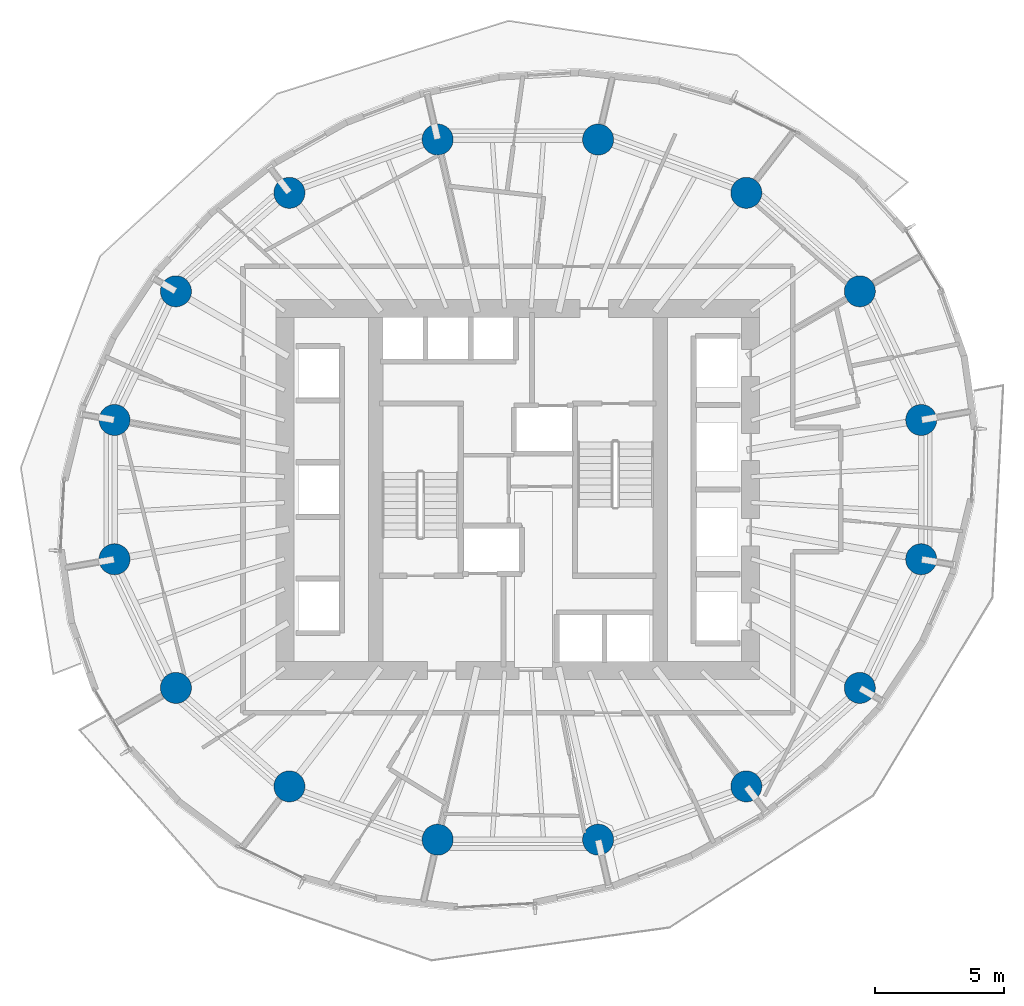
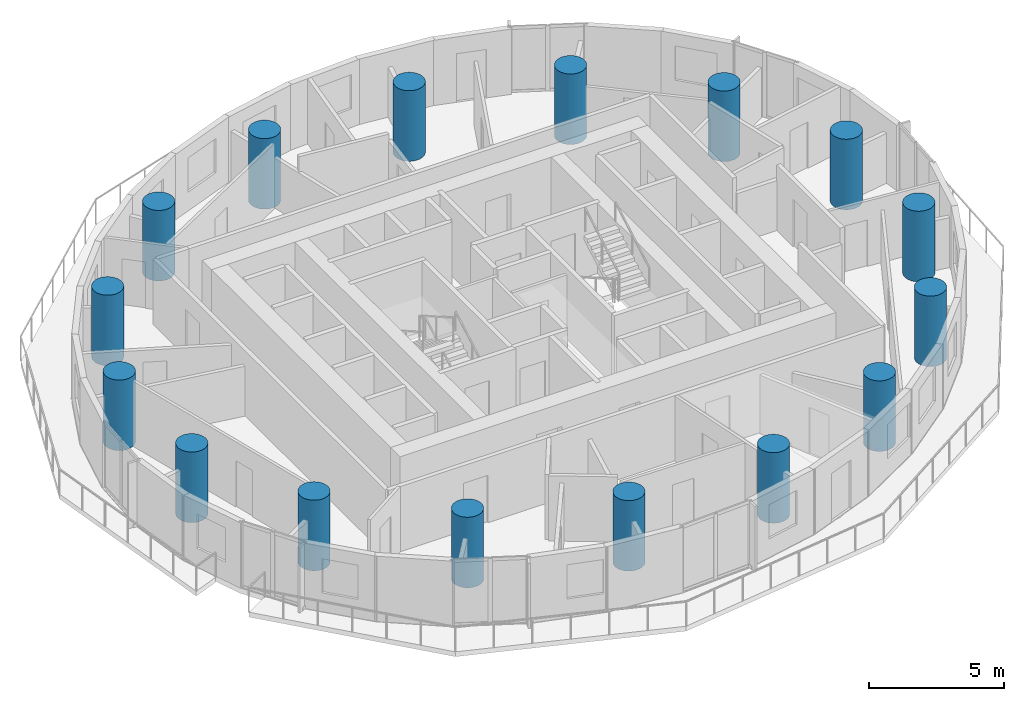
# One storey, part 1 of 15: 16 columns.
"""IFC4 building model written with IfcOpenShell, lengths in metres."""

from ifc_helpers import new_model, si_unit, direction, frame, origin, origin_2d, place, context, subcontext, project, spatial, circle, extrude, material, material_profile, profile_set, type_object, element, save


model = new_model("IFC4")

# Units and contexts
model_context = context("Model", 3, precision=1e-05, world=origin(), true_north=direction((0.0, 1.0)))
body_context = subcontext(model_context, "Body", "Model", "MODEL_VIEW")
ifc_project = project(units=[si_unit("LENGTHUNIT", "METRE"), si_unit("AREAUNIT", "SQUARE_METRE"), si_unit("VOLUMEUNIT", "CUBIC_METRE"), si_unit("PLANEANGLEUNIT", "RADIAN"), si_unit("MASSUNIT", "GRAM", prefix="KILO")], contexts=[model_context])

# Site, building, storey
site_placement = place(None, origin())
site = spatial("IfcSite", under=ifc_project, at=site_placement, CompositionType="ELEMENT")
building_placement = place(site_placement, origin())
building = spatial("IfcBuilding", under=site, at=building_placement, Name="Veldorim Arch Residences", CompositionType="ELEMENT")
storey_placement = place(building_placement, frame((0.0, 0.0, 102.8798828125)))
storey = spatial("IfcBuildingStorey", under=building, at=storey_placement, Name="L30", CompositionType="ELEMENT", Elevation=102.8798828125)

# Columns
ifc_material = material(Name="Concrete C60/75", Category="concrete")
ifc_material_profile = material_profile(ifc_material, circle(Radius=0.60009765625, at=origin_2d()), Name="RC_CIRC_1200")
ifc_profile_set = profile_set([ifc_material_profile], Name="Concrete C60/75")
column_type = type_object("IfcColumnType", Name="Structural Column RC_CIRC_1200", PredefinedType="COLUMN", material=ifc_profile_set)
for number, where, z_axis, x_axis, name in (
    (1, (47.594482421875, 26.692138671875, 0.0), (0.0, 0.0, 1.0), (1.0, 0.0, 0.0), "L30 TC-Z2-01 perimeter column"),
    (2, (45.220458984375, 31.6669921875, 0.0), (0.0, 0.0, 1.0), (1.0, 0.0, 0.0), "L30 TC-Z2-02 perimeter column"),
    (3, (40.83349609375, 35.474365234375, 0.0), (0.0, 0.0, 1.0), (1.0, 0.0, 0.0), "L30 TC-Z2-03 perimeter column"),
    (4, (35.101806640625, 37.534912109375, 0.0), (0.0, 0.0, 1.0), (1.0, 0.0, 0.0), "L30 TC-Z2-04 perimeter column"),
    (5, (28.898193359375, 37.534912109375, 0.0), (0.0, 0.0, 1.0), (1.0, 0.0, 0.0), "L30 TC-Z2-05 perimeter column"),
    (6, (23.16650390625, 35.474365234375, 0.0), (0.0, 0.0, 1.0), (1.0, 0.0, 0.0), "L30 TC-Z2-06 perimeter column"),
    (7, (18.779541015625, 31.6669921875, 0.0), (0.0, 0.0, 1.0), (1.0, 0.0, 0.0), "L30 TC-Z2-07 perimeter column"),
    (8, (16.405517578125, 26.692138671875, 0.0), (0.0, 0.0, 1.0), (1.0, 0.0, 0.0), "L30 TC-Z2-08 perimeter column"),
    (9, (16.405517578125, 21.307861328125, 0.0), (0.0, 0.0, 1.0), (1.0, 0.0, 0.0), "L30 TC-Z2-09 perimeter column"),
    (10, (18.779541015625, 16.3330078125, 0.0), (0.0, 0.0, 1.0), (1.0, 0.0, 0.0), "L30 TC-Z2-10 perimeter column"),
    (11, (23.16650390625, 12.525634765625, 0.0), (0.0, 0.0, 1.0), (1.0, 0.0, 0.0), "L30 TC-Z2-11 perimeter column"),
    (12, (28.898193359375, 10.465087890625, 0.0), (0.0, 0.0, 1.0), (1.0, 0.0, 0.0), "L30 TC-Z2-12 perimeter column"),
    (13, (35.101806640625, 10.465087890625, 0.0), (0.0, 0.0, 1.0), (1.0, 0.0, 0.0), "L30 TC-Z2-13 perimeter column"),
    (14, (40.83349609375, 12.525634765625, 0.0), (0.0, 0.0, 1.0), (1.0, 0.0, 0.0), "L30 TC-Z2-14 perimeter column"),
    (15, (45.220458984375, 16.3330078125, 0.0), (0.0, 0.0, 1.0), (1.0, 0.0, 0.0), "L30 TC-Z2-15 perimeter column"),
    (16, (47.594482421875, 21.307861328125, 0.0), (0.0, 0.0, 1.0), (1.0, 0.0, 0.0), "L30 TC-Z2-16 perimeter column"),
):
    element("IfcColumn", number, at=place(storey_placement, frame(where, z_axis=z_axis, x_axis=x_axis)), inside=storey, type_object=column_type, Name=name, PredefinedType="COLUMN", context=body_context, shape_type="SweptSolid", body=[
        extrude(circle(Radius=0.60009765625, at=origin_2d()), origin(), (0.0, 0.0, 1.0), 3.2001953125),
    ])

save(model, "model.ifc")
